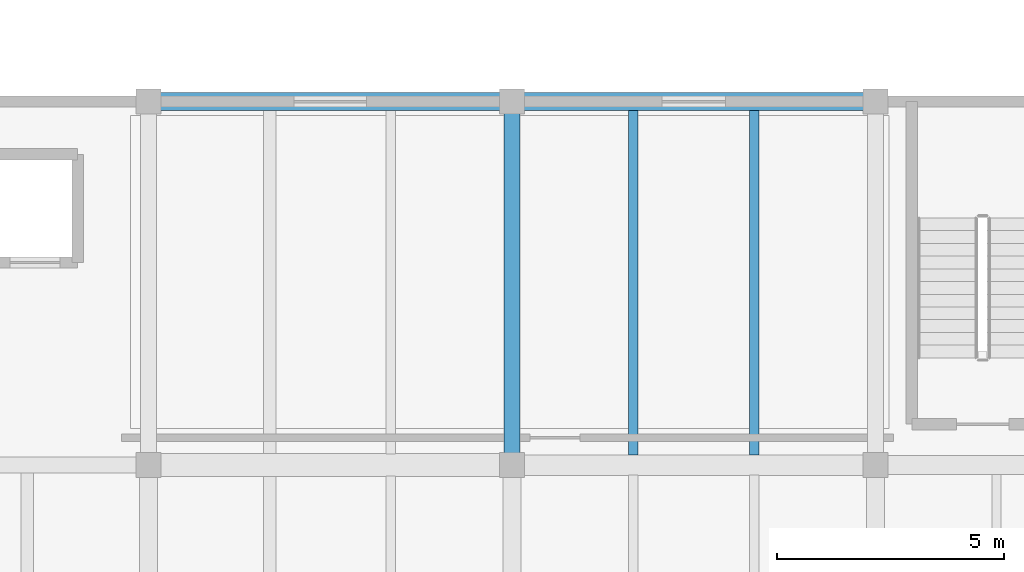
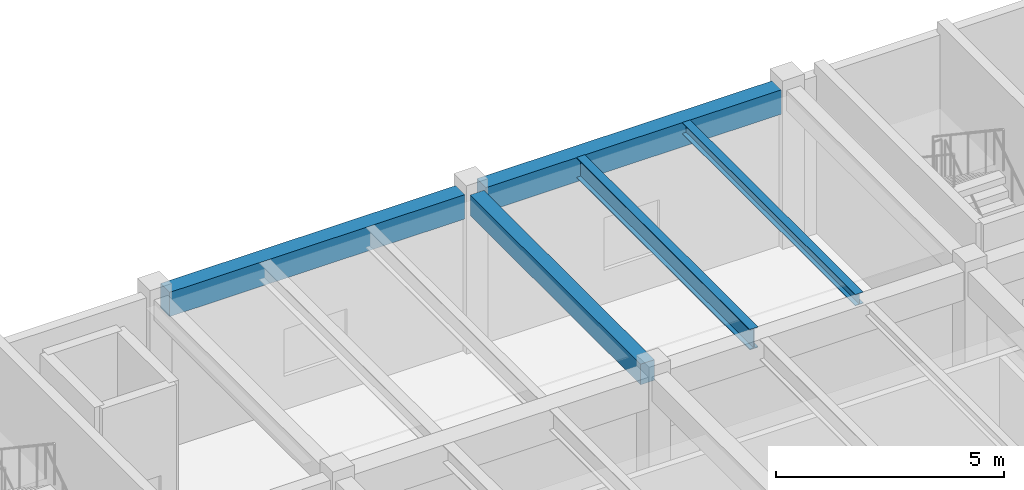
# One storey, part 19 of 79: 5 beams.
"""IFC4 building model written with IfcOpenShell, lengths in metres."""

from ifc_helpers import new_model, si_unit, direction, frame, origin, origin_2d, place, context, subcontext, project, spatial, rectangle, i_section, extrude, material, material_profile, profile_set, type_object, element, save


model = new_model("IFC4")

# Units and contexts
model_context = context("Model", 3, precision=1e-05, world=origin(), true_north=direction((0.0, 1.0)))
body_context = subcontext(model_context, "Body", "Model", "MODEL_VIEW")
ifc_project = project(units=[si_unit("LENGTHUNIT", "METRE"), si_unit("AREAUNIT", "SQUARE_METRE"), si_unit("VOLUMEUNIT", "CUBIC_METRE"), si_unit("PLANEANGLEUNIT", "RADIAN"), si_unit("MASSUNIT", "GRAM", prefix="KILO")], contexts=[model_context])

# Site, building, storey
site_placement = place(None, origin())
site = spatial("IfcSite", under=ifc_project, at=site_placement, CompositionType="ELEMENT")
building_placement = place(site_placement, origin())
building = spatial("IfcBuilding", under=site, at=building_placement, Name="Tlaxcora Railside Police Headquarters", CompositionType="ELEMENT")
storey_placement = place(building_placement, frame((0.0, 0.0, 9.0)))
storey = spatial("IfcBuildingStorey", under=building, at=storey_placement, Name="L02", CompositionType="ELEMENT", Elevation=9.0)

# Beams
ifc_material_1 = material(Name="Concrete C40/50", Category="concrete")
ifc_material_profile_1 = material_profile(ifc_material_1, rectangle(XDim=0.39990234375, YDim=0.64990234375, at=origin_2d()), Name="RC400X650")
ifc_profile_set_1 = profile_set([ifc_material_profile_1], Name="Concrete C40/50")
beam_type_1 = type_object("IfcBeamType", Name="Perimeter Spandrel Beam BM-46", PredefinedType="SPANDREL", material=ifc_profile_set_1)
for number, where, z_axis, x_axis, name in (
    (1, (119.06494140625, 52.0, 3.89501953125), (1.0, 0.0, 0.0), (0.0, 1.0, 0.0), "V7 L02 X-girder Y=52.0"),
    (2, (127.06494140625, 52.0, 3.89501953125), (1.0, 0.0, 0.0), (0.0, 1.0, 0.0), "V7 L02 X-girder Y=52.0"),
):
    element("IfcBeam", number, at=place(storey_placement, frame(where, z_axis=z_axis, x_axis=x_axis)), inside=storey, type_object=beam_type_1, Name=name, PredefinedType="SPANDREL", context=body_context, shape_type="SweptSolid", body=[
        extrude(rectangle(XDim=0.39990234375, YDim=0.64990234375, at=origin_2d()), origin(), (0.0, 0.0, 1.0), 7.469970703125),
    ])
ifc_material_profile_2 = material_profile(ifc_material_1, rectangle(XDim=0.35009765625, YDim=0.550048828125, at=origin_2d()), Name="RC350X550")
ifc_profile_set_2 = profile_set([ifc_material_profile_2], Name="Concrete C40/50")
beam_type_2 = type_object("IfcBeamType", Name="Primary Frame Girder BM-39", PredefinedType="BEAM", material=ifc_profile_set_2)
beam_1_placement = place(storey_placement, frame((126.800048828125, 44.264892578125, 3.945068359375), z_axis=(0.0, 1.0, 0.0), x_axis=(-1.0, 0.0, 0.0)))
element("IfcBeam", 3, at=beam_1_placement, inside=storey, type_object=beam_type_2, Name="V7 L02 Y-girder X=126.8", PredefinedType="BEAM", context=body_context, shape_type="SweptSolid", body=[
    extrude(rectangle(XDim=0.35009765625, YDim=0.550048828125, at=origin_2d()), origin(), (0.0, 0.0, 1.0), 7.47021484375),
])
ifc_material_2 = material(Name="Steel ASTM A992 Grade 50", Category="steel")
ifc_material_profile_3 = material_profile(ifc_material_2, i_section(OverallWidth=0.202880859375, OverallDepth=0.302978515625, WebThickness=0.007568359375, FlangeThickness=0.01318359375, at=origin_2d()), Name="W12X40")
ifc_profile_set_3 = profile_set([ifc_material_profile_3], Name="Steel ASTM A992 Grade 50")
beam_type_3 = type_object("IfcBeamType", Name="Secondary Floor Joist BM-96", PredefinedType="JOIST", material=ifc_profile_set_3)
beam_2_placement = place(storey_placement, frame((132.13330078125, 44.217041015625, 4.068603515625), z_axis=(0.0, 1.0, 0.0), x_axis=(-1.0, 0.0, 0.0)))
element("IfcBeam", 4, at=beam_2_placement, inside=storey, type_object=beam_type_3, Name="V7 L02 floor joist X=132.13", PredefinedType="JOIST", context=body_context, shape_type="SweptSolid", body=[
    extrude(i_section(OverallWidth=0.202880859375, OverallDepth=0.302978515625, WebThickness=0.007568359375, FlangeThickness=0.01318359375, at=origin_2d()), origin(), (0.0, 0.0, 1.0), 7.591064453125),
])
ifc_material_profile_4 = material_profile(ifc_material_2, i_section(OverallWidth=0.214111328125, OverallDepth=0.549072265625, WebThickness=0.0146484375, FlangeThickness=0.023681640625, at=origin_2d()), Name="W21X93")
ifc_profile_set_4 = profile_set([ifc_material_profile_4], Name="Steel ASTM A992 Grade 50")
beam_type_4 = type_object("IfcBeamType", Name="Secondary Floor Joist BM-97", PredefinedType="JOIST", material=ifc_profile_set_4)
beam_3_placement = place(storey_placement, frame((129.466796875, 44.217041015625, 3.945556640625), z_axis=(0.0, 1.0, 0.0), x_axis=(-1.0, 0.0, 0.0)))
element("IfcBeam", 5, at=beam_3_placement, inside=storey, type_object=beam_type_4, Name="V7 L02 floor joist X=129.47", PredefinedType="JOIST", context=body_context, shape_type="SweptSolid", body=[
    extrude(i_section(OverallWidth=0.214111328125, OverallDepth=0.549072265625, WebThickness=0.0146484375, FlangeThickness=0.023681640625, at=origin_2d()), origin(), (0.0, 0.0, 1.0), 7.591064453125),
])

save(model, "model.ifc")
